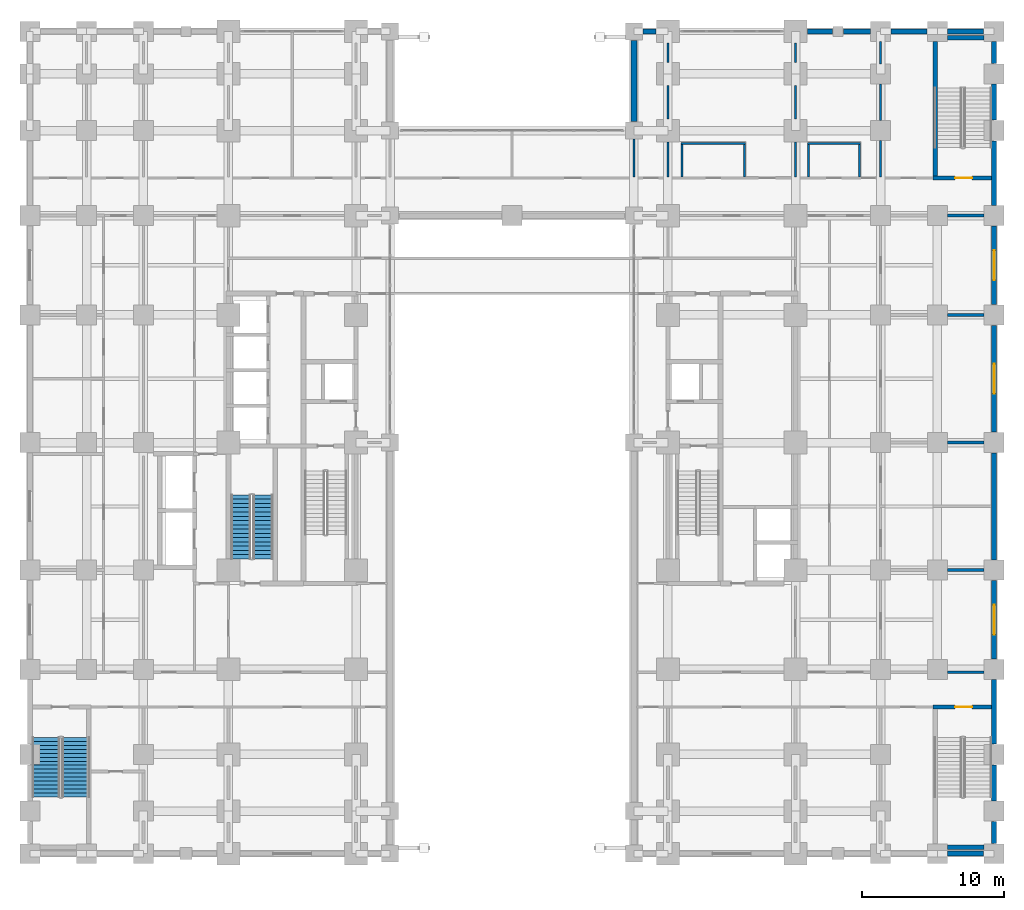
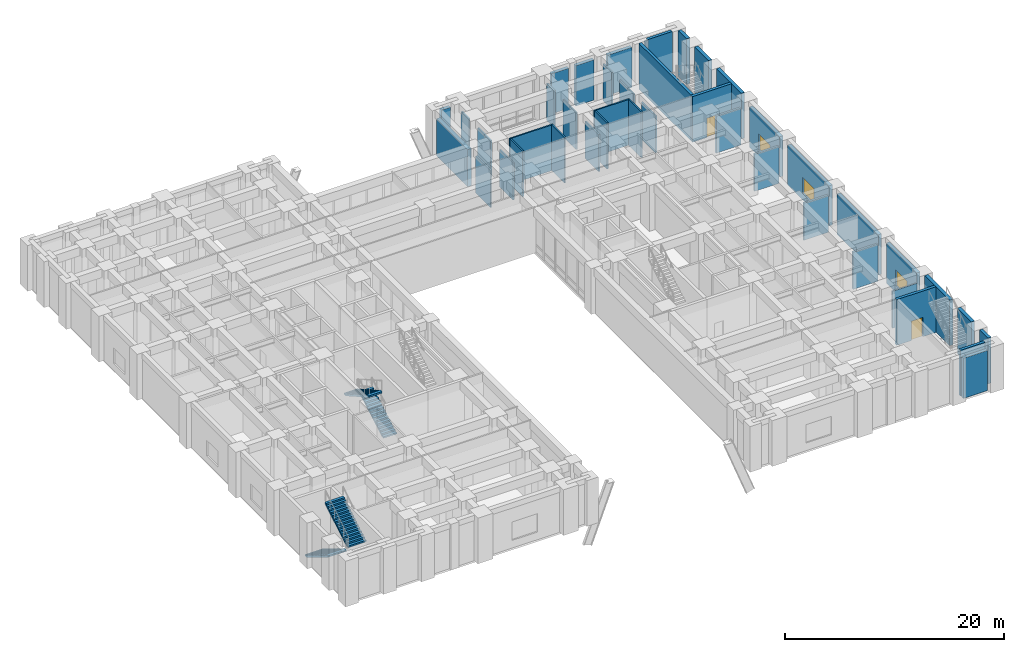
# One storey, part 16 of 23: 43 walls, 4 stair flights, 3 windows, 2 doors, 5 openings, 2 elements without a shape of their own.
"""IFC4 building model written with IfcOpenShell, lengths in metres."""

from ifc_helpers import new_model, si_unit, direction, frame, frame_2d, origin, place, context, subcontext, project, spatial, polyline, rectangle, outline, extrude, material, layer, layer_set, type_object, element, fill, aggregate, save


model = new_model("IFC4")

# Units and contexts
model_context = context("Model", 3, precision=1e-05, world=origin(), true_north=direction((0.0, 1.0)))
body_context = subcontext(model_context, "Body", "Model", "MODEL_VIEW")
ifc_project = project(units=[si_unit("LENGTHUNIT", "METRE"), si_unit("AREAUNIT", "SQUARE_METRE"), si_unit("VOLUMEUNIT", "CUBIC_METRE"), si_unit("PLANEANGLEUNIT", "RADIAN"), si_unit("MASSUNIT", "GRAM", prefix="KILO")], contexts=[model_context])

# Site, building, storey
site_placement = place(None, origin())
site = spatial("IfcSite", under=ifc_project, at=site_placement, CompositionType="ELEMENT")
building_placement = place(site_placement, origin())
building = spatial("IfcBuilding", under=site, at=building_placement, Name="Zulmaris Gate Convention Tower", CompositionType="ELEMENT")
storey_placement = place(building_placement, frame((0.0, 0.0, 10.8798828125)))
storey = spatial("IfcBuildingStorey", under=building, at=storey_placement, Name="L02", CompositionType="ELEMENT", Elevation=10.8798828125)

# Wall
ifc_material_1 = material(Name="Concrete C50/60", Category="concrete")
ifc_layer_1 = layer(ifc_material_1, 0.300048828125, Name="Concrete C50/60")
ifc_layer_set_1 = layer_set([ifc_layer_1], Name="Concrete C50/60")
wall_type_1 = type_object("IfcWallType", Name="CORE-300", PredefinedType="SHEAR", material=ifc_layer_set_1)
wall_1_placement = place(storey_placement, frame((30.7041015625, -28.550048828125, 0.0), z_axis=(0.0, 0.0, 1.0), x_axis=(1.0, 0.0, 0.0)))
element("IfcWall", 1, at=wall_1_placement, inside=storey, type_object=wall_type_1, Name="WL-L02-002", PredefinedType="SHEAR", context=body_context, shape_type="SweptSolid", body=[
    extrude(rectangle(XDim=2.591796875, YDim=0.300048828125, at=frame_2d((1.2958984375, 0.0))), origin(), (0.0, 0.0, 1.0), 5.09033203125),
])

# Wall, opening, door
wall_2_placement = place(storey_placement, frame((29.699951171875, -18.64990234375, 0.0), z_axis=(0.0, 0.0, 1.0), x_axis=(1.0, 0.0, 0.0)))
wall_2 = element("IfcWall", 2, at=wall_2_placement, inside=storey, type_object=wall_type_1, Name="WL-L02-004", PredefinedType="SHEAR", context=body_context, shape_type="SweptSolid", body=[
    extrude(rectangle(XDim=4.135009765625, YDim=0.300048828125, at=frame_2d((2.0673828125, 0.0))), origin(), (0.0, 0.0, 1.0), 5.09033203125),
])
opening_1_placement = place(wall_2_placement, frame((1.550048828125, 0.0, 0.0)))
opening_1 = element("IfcOpeningElement", 3, at=opening_1_placement, cuts=wall_2, Name="Opening D-13", PredefinedType="OPENING", context=body_context, shape_type="SweptSolid", body=[
    extrude(rectangle(XDim=1.199951171875, YDim=2.14990234375, at=frame_2d((0.60009765625, 1.074951171875))), frame((0.0, 0.16015625, 0.0), z_axis=(0.0, -1.0, 0.0), x_axis=(1.0, 0.0, 0.0)), (0.0, 0.0, 1.0), 0.320068359375),
])
ifc_material_2 = material(Name="Fire-Rated Steel", Category="steel")
door_type = type_object("IfcDoorType", Name="DR-1200-FD", OperationType="NOTDEFINED", PredefinedType="DOOR", material=ifc_material_2)
door_1_placement = place(opening_1_placement, origin())
door_1 = element("IfcDoor", 4, at=door_1_placement, inside=storey, type_object=door_type, Name="L02 Exit Stair ST-6 Door 22", OperationType="SINGLE_SWING_LEFT", OverallHeight=2.14990234375, OverallWidth=1.199951171875, PredefinedType="DOOR", context=body_context, shape_type="SweptSolid", body=[
    extrude(rectangle(XDim=1.199951171875, YDim=2.14990234375, at=frame_2d((0.60009765625, 1.074951171875))), frame((0.0, 0.02490234375, 0.0), z_axis=(0.0, -1.0, 0.0), x_axis=(1.0, 0.0, 0.0)), (0.0, 0.0, 1.0), 0.050048828125),
])
fill(opening_1, door_1)

wall_3_placement = place(storey_placement, frame((29.699951171875, 18.64990234375, 0.0), z_axis=(0.0, 0.0, 1.0), x_axis=(1.0, 0.0, 0.0)))
wall_3 = element("IfcWall", 5, at=wall_3_placement, inside=storey, type_object=wall_type_1, Name="WL-L02-027", PredefinedType="SHEAR", context=body_context, shape_type="SweptSolid", body=[
    extrude(rectangle(XDim=4.135009765625, YDim=0.300048828125, at=frame_2d((2.0673828125, 0.0))), origin(), (0.0, 0.0, 1.0), 5.09033203125),
])
opening_2_placement = place(wall_3_placement, frame((1.550048828125, 0.0, 0.0)))
opening_2 = element("IfcOpeningElement", 6, at=opening_2_placement, cuts=wall_3, Name="Opening D-13", PredefinedType="OPENING", context=body_context, shape_type="SweptSolid", body=[
    extrude(rectangle(XDim=1.199951171875, YDim=2.14990234375, at=frame_2d((0.60009765625, 1.074951171875))), frame((0.0, 0.16015625, 0.0), z_axis=(0.0, -1.0, 0.0), x_axis=(1.0, 0.0, 0.0)), (0.0, 0.0, 1.0), 0.320068359375),
])
door_2_placement = place(opening_2_placement, origin())
door_2 = element("IfcDoor", 7, at=door_2_placement, inside=storey, type_object=door_type, Name="L02 Exit Stair ST-5 Door 21", OperationType="SINGLE_SWING_RIGHT", OverallHeight=2.14990234375, OverallWidth=1.199951171875, PredefinedType="DOOR", context=body_context, shape_type="SweptSolid", body=[
    extrude(rectangle(XDim=1.199951171875, YDim=2.14990234375, at=frame_2d((0.60009765625, 1.074951171875))), frame((0.0, 0.02490234375, 0.0), z_axis=(0.0, -1.0, 0.0), x_axis=(1.0, 0.0, 0.0)), (0.0, 0.0, 1.0), 0.050048828125),
])
fill(opening_2, door_2)

# Walls
wall_4_placement = place(storey_placement, frame((30.7041015625, 28.550048828125, 0.0), z_axis=(0.0, 0.0, 1.0), x_axis=(1.0, 0.0, 0.0)))
element("IfcWall", 8, at=wall_4_placement, inside=storey, type_object=wall_type_1, Name="WL-L02-028", PredefinedType="SHEAR", context=body_context, shape_type="SweptSolid", body=[
    extrude(rectangle(XDim=2.591796875, YDim=0.300048828125, at=frame_2d((1.2958984375, 0.0))), origin(), (0.0, 0.0, 1.0), 5.09033203125),
])
wall_5_placement = place(storey_placement, frame((29.85009765625, 18.802001953125, 0.0), z_axis=(0.0, 0.0, 1.0), x_axis=(0.0, 1.0, 0.0)))
element("IfcWall", 9, at=wall_5_placement, inside=storey, type_object=wall_type_1, Name="WL-L02-107", PredefinedType="SHEAR", context=body_context, shape_type="SweptSolid", body=[
    extrude(rectangle(XDim=9.493896484375, YDim=0.300048828125, at=frame_2d((4.7470703125, 0.0))), origin(), (0.0, 0.0, 1.0), 5.09033203125),
])
ifc_material_3 = material(Name="Gypsum Metal Stud Partition")
ifc_layer_2 = layer(ifc_material_3, 0.14990234375, Name="Gypsum Metal Stud Partition")
ifc_layer_set_2 = layer_set([ifc_layer_2], Name="Gypsum Metal Stud Partition")
wall_type_2 = type_object("IfcWallType", Name="PART-150", PredefinedType="PARTITIONING", material=ifc_layer_set_2)
wall_6_placement = place(storey_placement, frame((30.7060546875, -16.199951171875, 0.0), z_axis=(0.0, 0.0, 1.0), x_axis=(1.0, 0.0, 0.0)))
element("IfcWall", 10, at=wall_6_placement, inside=storey, type_object=wall_type_2, Name="WL-L02-033S4", PredefinedType="PARTITIONING", context=body_context, shape_type="SweptSolid", body=[
    extrude(rectangle(XDim=2.587890625, YDim=0.14990234375, at=frame_2d((1.2939453125, 0.0))), origin(), (0.0, 0.0, 1.0), 4.13232421875),
])
wall_7_placement = place(storey_placement, frame((11.925048828125, 21.10009765625, 0.0), z_axis=(0.0, 0.0, 1.0), x_axis=(1.0, 0.0, 0.0)))
element("IfcWall", 11, at=wall_7_placement, inside=storey, type_object=wall_type_2, Name="WL-L02-064", PredefinedType="PARTITIONING", context=body_context, shape_type="SweptSolid", body=[
    extrude(rectangle(XDim=4.550048828125, YDim=0.14990234375, at=frame_2d((2.27490234375, 0.0))), origin(), (0.0, 0.0, 1.0), 5.09033203125),
])
wall_8_placement = place(storey_placement, frame((20.824951171875, 21.10009765625, 0.0), z_axis=(0.0, 0.0, 1.0), x_axis=(1.0, 0.0, 0.0)))
element("IfcWall", 12, at=wall_8_placement, inside=storey, type_object=wall_type_2, Name="WL-L02-065", PredefinedType="PARTITIONING", context=body_context, shape_type="SweptSolid", body=[
    extrude(rectangle(XDim=3.75, YDim=0.14990234375, at=frame_2d((1.875, 0.0))), origin(), (0.0, 0.0, 1.0), 5.09033203125),
])
wall_9_placement = place(storey_placement, frame((8.60009765625, 18.72802734375, 0.0), z_axis=(0.0, 0.0, 1.0), x_axis=(0.0, 1.0, 0.0)))
element("IfcWall", 13, at=wall_9_placement, inside=storey, type_object=wall_type_2, Name="WL-L02-134", PredefinedType="PARTITIONING", context=body_context, shape_type="SweptSolid", body=[
    extrude(rectangle(XDim=2.666015625, YDim=0.14990234375, at=frame_2d((1.3330078125, 0.0))), origin(), (0.0, 0.0, 1.0), 4.13232421875),
])
wall_10_placement = place(storey_placement, frame((11.0, 18.72802734375, 0.0), z_axis=(0.0, 0.0, 1.0), x_axis=(0.0, 1.0, 0.0)))
element("IfcWall", 14, at=wall_10_placement, inside=storey, type_object=wall_type_2, Name="WL-L02-137", PredefinedType="PARTITIONING", context=body_context, shape_type="SweptSolid", body=[
    extrude(rectangle(XDim=2.466064453125, YDim=0.14990234375, at=frame_2d((1.23291015625, 0.0))), origin(), (0.0, 0.0, 1.0), 4.13232421875),
])
wall_11_placement = place(storey_placement, frame((11.0, 22.805908203125, 0.0), z_axis=(0.0, 0.0, 1.0), x_axis=(0.0, 1.0, 0.0)))
element("IfcWall", 15, at=wall_11_placement, inside=storey, type_object=wall_type_2, Name="WL-L02-137S1", PredefinedType="PARTITIONING", context=body_context, shape_type="SweptSolid", body=[
    extrude(rectangle(XDim=2.38818359375, YDim=0.14990234375, at=frame_2d((1.194091796875, 0.0))), origin(), (0.0, 0.0, 1.0), 4.13232421875),
])
wall_12_placement = place(storey_placement, frame((11.0, 26.805908203125, 0.0), z_axis=(0.0, 0.0, 1.0), x_axis=(0.0, 1.0, 0.0)))
element("IfcWall", 16, at=wall_12_placement, inside=storey, type_object=wall_type_2, Name="WL-L02-137S2", PredefinedType="PARTITIONING", context=body_context, shape_type="SweptSolid", body=[
    extrude(rectangle(XDim=1.38818359375, YDim=0.14990234375, at=frame_2d((0.694091796875, 0.0))), origin(), (0.0, 0.0, 1.0), 4.13232421875),
])
for number, where, z_axis, x_axis, name in (
    (17, (12.0, 18.72802734375, 0.0), (0.0, 0.0, 1.0), (0.0, 1.0, 0.0), "WL-L02-138"),
    (18, (16.39990234375, 18.72802734375, 0.0), (0.0, 0.0, 1.0), (0.0, 1.0, 0.0), "WL-L02-139"),
):
    element("IfcWall", number, at=place(storey_placement, frame(where, z_axis=z_axis, x_axis=x_axis)), inside=storey, type_object=wall_type_2, Name=name, PredefinedType="PARTITIONING", context=body_context, shape_type="SweptSolid", body=[
        extrude(rectangle(XDim=2.2939453125, YDim=0.14990234375, at=frame_2d((1.14697265625, 0.0))), origin(), (0.0, 0.0, 1.0), 5.09033203125),
    ])
wall_13_placement = place(storey_placement, frame((20.0, 18.72802734375, 0.0), z_axis=(0.0, 0.0, 1.0), x_axis=(0.0, 1.0, 0.0)))
element("IfcWall", 19, at=wall_13_placement, inside=storey, type_object=wall_type_2, Name="WL-L02-144", PredefinedType="PARTITIONING", context=body_context, shape_type="SweptSolid", body=[
    extrude(rectangle(XDim=2.466064453125, YDim=0.14990234375, at=frame_2d((1.23291015625, 0.0))), origin(), (0.0, 0.0, 1.0), 4.13232421875),
])
wall_14_placement = place(storey_placement, frame((20.0, 22.805908203125, 0.0), z_axis=(0.0, 0.0, 1.0), x_axis=(0.0, 1.0, 0.0)))
element("IfcWall", 20, at=wall_14_placement, inside=storey, type_object=wall_type_2, Name="WL-L02-144S1", PredefinedType="PARTITIONING", context=body_context, shape_type="SweptSolid", body=[
    extrude(rectangle(XDim=2.38818359375, YDim=0.14990234375, at=frame_2d((1.194091796875, 0.0))), origin(), (0.0, 0.0, 1.0), 4.13232421875),
])
wall_15_placement = place(storey_placement, frame((20.0, 26.805908203125, 0.0), z_axis=(0.0, 0.0, 1.0), x_axis=(0.0, 1.0, 0.0)))
element("IfcWall", 21, at=wall_15_placement, inside=storey, type_object=wall_type_2, Name="WL-L02-144S2", PredefinedType="PARTITIONING", context=body_context, shape_type="SweptSolid", body=[
    extrude(rectangle(XDim=1.38818359375, YDim=0.14990234375, at=frame_2d((0.694091796875, 0.0))), origin(), (0.0, 0.0, 1.0), 4.13232421875),
])
for number, where, z_axis, x_axis, name in (
    (22, (20.89990234375, 18.72802734375, 0.0), (0.0, 0.0, 1.0), (0.0, 1.0, 0.0), "WL-L02-145"),
    (23, (24.5, 18.72802734375, 0.0), (0.0, 0.0, 1.0), (0.0, 1.0, 0.0), "WL-L02-147"),
):
    element("IfcWall", number, at=place(storey_placement, frame(where, z_axis=z_axis, x_axis=x_axis)), inside=storey, type_object=wall_type_2, Name=name, PredefinedType="PARTITIONING", context=body_context, shape_type="SweptSolid", body=[
        extrude(rectangle(XDim=2.2939453125, YDim=0.14990234375, at=frame_2d((1.14697265625, 0.0))), origin(), (0.0, 0.0, 1.0), 5.09033203125),
    ])
wall_16_placement = place(storey_placement, frame((26.0, 18.72802734375, 0.0), z_axis=(0.0, 0.0, 1.0), x_axis=(0.0, 1.0, 0.0)))
element("IfcWall", 24, at=wall_16_placement, inside=storey, type_object=wall_type_2, Name="WL-L02-154", PredefinedType="PARTITIONING", context=body_context, shape_type="SweptSolid", body=[
    extrude(rectangle(XDim=2.56591796875, YDim=0.14990234375, at=frame_2d((1.282958984375, 0.0))), origin(), (0.0, 0.0, 1.0), 4.13232421875),
])
wall_17_placement = place(storey_placement, frame((26.0, 22.7060546875, 0.0), z_axis=(0.0, 0.0, 1.0), x_axis=(0.0, 1.0, 0.0)))
element("IfcWall", 25, at=wall_17_placement, inside=storey, type_object=wall_type_2, Name="WL-L02-154S1", PredefinedType="PARTITIONING", context=body_context, shape_type="SweptSolid", body=[
    extrude(rectangle(XDim=2.587890625, YDim=0.14990234375, at=frame_2d((1.2939453125, 0.0))), origin(), (0.0, 0.0, 1.0), 4.13232421875),
])
wall_18_placement = place(storey_placement, frame((26.0, 26.7060546875, 0.0), z_axis=(0.0, 0.0, 1.0), x_axis=(0.0, 1.0, 0.0)))
element("IfcWall", 26, at=wall_18_placement, inside=storey, type_object=wall_type_2, Name="WL-L02-154S2", PredefinedType="PARTITIONING", context=body_context, shape_type="SweptSolid", body=[
    extrude(rectangle(XDim=1.587890625, YDim=0.14990234375, at=frame_2d((0.7939453125, 0.0))), origin(), (0.0, 0.0, 1.0), 4.13232421875),
])
ifc_material_4 = material(Name="Autoclaved Aerated Concrete Block and Plasterboard", Category="concrete")
ifc_layer_3 = layer(ifc_material_4, 0.199951171875, Name="Autoclaved Aerated Concrete Block and Plasterboard")
ifc_layer_set_3 = layer_set([ifc_layer_3], Name="Autoclaved Aerated Concrete Block and Plasterboard")
wall_type_3 = type_object("IfcWallType", Name="PART-200", PredefinedType="PARTITIONING", material=ifc_layer_set_3)
for number, where, z_axis, x_axis, name in (
    (27, (30.7060546875, -9.0, 0.0), (0.0, 0.0, 1.0), (1.0, 0.0, 0.0), "WL-L02-038S1"),
    (28, (30.7060546875, 0.0, 0.0), (0.0, 0.0, 1.0), (1.0, 0.0, 0.0), "WL-L02-045S1"),
    (29, (30.7060546875, 9.0, 0.0), (0.0, 0.0, 1.0), (1.0, 0.0, 0.0), "WL-L02-048S1"),
    (30, (30.7060546875, 16.0, 0.0), (0.0, 0.0, 1.0), (1.0, 0.0, 0.0), "WL-L02-062S1"),
):
    element("IfcWall", number, at=place(storey_placement, frame(where, z_axis=z_axis, x_axis=x_axis)), inside=storey, type_object=wall_type_3, Name=name, PredefinedType="PARTITIONING", context=body_context, shape_type="SweptSolid", body=[
        extrude(rectangle(XDim=2.587890625, YDim=0.199951171875, at=frame_2d((1.2939453125, 0.0))), origin(), (0.0, 0.0, 1.0), 4.13232421875),
    ])
ifc_material_5 = material(Name="Precast concrete C50/60", Category="concrete")
ifc_layer_4 = layer(ifc_material_5, 0.39990234375, Name="Precast concrete C50/60")
ifc_layer_set_4 = layer_set([ifc_layer_4], Name="Precast concrete C50/60")
wall_type_4 = type_object("IfcWallType", Name="PRECAST-ARCH-400", PredefinedType="STANDARD", material=ifc_layer_set_4)
wall_19_placement = place(storey_placement, frame((8.60009765625, 28.35009765625, 0.0), z_axis=(0.0, 0.0, 1.0), x_axis=(0.0, -1.0, 0.0)))
element("IfcWall", 31, at=wall_19_placement, inside=storey, type_object=wall_type_4, Name="EW-L02-ARCH-NES_0", PredefinedType="STANDARD", context=body_context, shape_type="SweptSolid", body=[
    extrude(rectangle(XDim=5.72021484375, YDim=0.39990234375, at=frame_2d((2.860107421875, 0.0))), origin(), (0.0, 0.0, 1.0), 4.13232421875),
])
ifc_material_6 = material(Name="Precast concrete C45/55", Category="concrete")
ifc_layer_5 = layer(ifc_material_6, 0.35009765625, Name="Precast concrete C45/55")
ifc_layer_set_5 = layer_set([ifc_layer_5], Name="Precast concrete C45/55")
wall_type_5 = type_object("IfcWallType", Name="PRECAST-POD-350", PredefinedType="STANDARD", material=ifc_layer_set_5)
wall_20_placement = place(storey_placement, frame((30.72998046875, -29.0, 0.0), z_axis=(0.0, 0.0, 1.0), x_axis=(1.0, 0.0, 0.0)))
element("IfcWall", 32, at=wall_20_placement, inside=storey, type_object=wall_type_5, Name="EW-L02-S-300_0", PredefinedType="STANDARD", context=body_context, shape_type="SweptSolid", body=[
    extrude(rectangle(XDim=2.5400390625, YDim=0.35009765625, at=frame_2d((1.27001953125, 0.0))), origin(), (0.0, 0.0, 1.0), 4.482177734375),
])
wall_21_placement = place(storey_placement, frame((10.169921875, 29.0, 0.0), z_axis=(0.0, 0.0, 1.0), x_axis=(-1.0, 0.0, 0.0)))
element("IfcWall", 33, at=wall_21_placement, inside=storey, type_object=wall_type_5, Name="EW-L02-N-86_0", PredefinedType="STANDARD", context=body_context, shape_type="SweptSolid", body=[
    extrude(rectangle(XDim=0.93994140625, YDim=0.35009765625, at=frame_2d((0.469970703125, 0.0))), origin(), (0.0, 0.0, 1.0), 4.482177734375),
])
wall_22_placement = place(storey_placement, frame((22.6201171875, 29.0, 0.0), z_axis=(0.0, 0.0, 1.0), x_axis=(-1.0, 0.0, 0.0)))
element("IfcWall", 34, at=wall_22_placement, inside=storey, type_object=wall_type_5, Name="EW-L02-N-200_0", PredefinedType="STANDARD", context=body_context, shape_type="SweptSolid", body=[
    extrude(rectangle(XDim=1.7900390625, YDim=0.35009765625, at=frame_2d((0.89501953125, 0.0))), origin(), (0.0, 0.0, 1.0), 4.482177734375),
])
wall_23_placement = place(storey_placement, frame((25.27001953125, 29.0, 0.0), z_axis=(0.0, 0.0, 1.0), x_axis=(-1.0, 0.0, 0.0)))
element("IfcWall", 35, at=wall_23_placement, inside=storey, type_object=wall_type_5, Name="EW-L02-N-230_0", PredefinedType="STANDARD", context=body_context, shape_type="SweptSolid", body=[
    extrude(rectangle(XDim=1.89013671875, YDim=0.35009765625, at=frame_2d((0.945068359375, 0.0))), origin(), (0.0, 0.0, 1.0), 4.482177734375),
])
for number, where, z_axis, x_axis, name in (
    (36, (29.27001953125, 29.0, 0.0), (0.0, 0.0, 1.0), (-1.0, 0.0, 0.0), "EW-L02-N-260_0"),
    (37, (33.27001953125, 29.0, 0.0), (0.0, 0.0, 1.0), (-1.0, 0.0, 0.0), "EW-L02-N-300_0"),
):
    element("IfcWall", number, at=place(storey_placement, frame(where, z_axis=z_axis, x_axis=x_axis)), inside=storey, type_object=wall_type_5, Name=name, PredefinedType="STANDARD", context=body_context, shape_type="SweptSolid", body=[
        extrude(rectangle(XDim=2.5400390625, YDim=0.35009765625, at=frame_2d((1.27001953125, 0.0))), origin(), (0.0, 0.0, 1.0), 4.482177734375),
    ])
wall_24_placement = place(storey_placement, frame((34.0, -26.72998046875, 0.0), z_axis=(0.0, 0.0, 1.0), x_axis=(0.0, -1.0, 0.0)))
element("IfcWall", 38, at=wall_24_placement, inside=storey, type_object=wall_type_5, Name="EW-L02-E--29_0", PredefinedType="STANDARD", context=body_context, shape_type="SweptSolid", body=[
    extrude(rectangle(XDim=1.5400390625, YDim=0.35009765625, at=frame_2d((0.77001953125, 0.0))), origin(), (0.0, 0.0, 1.0), 5.09033203125),
])
wall_25_placement = place(storey_placement, frame((34.0, -22.72998046875, 0.0), z_axis=(0.0, 0.0, 1.0), x_axis=(0.0, -1.0, 0.0)))
element("IfcWall", 39, at=wall_25_placement, inside=storey, type_object=wall_type_5, Name="EW-L02-E--26_0", PredefinedType="STANDARD", context=body_context, shape_type="SweptSolid", body=[
    extrude(rectangle(XDim=2.5400390625, YDim=0.35009765625, at=frame_2d((1.27001953125, 0.0))), origin(), (0.0, 0.0, 1.0), 5.09033203125),
])
wall_26_placement = place(storey_placement, frame((34.0, -16.72998046875, 0.0), z_axis=(0.0, 0.0, 1.0), x_axis=(0.0, -1.0, 0.0)))
element("IfcWall", 40, at=wall_26_placement, inside=storey, type_object=wall_type_5, Name="EW-L02-E--22_0", PredefinedType="STANDARD", context=body_context, shape_type="SweptSolid", body=[
    extrude(rectangle(XDim=4.5400390625, YDim=0.35009765625, at=frame_2d((2.27001953125, 0.0))), origin(), (0.0, 0.0, 1.0), 5.09033203125),
])

# Wall, opening, window
wall_27_placement = place(storey_placement, frame((34.0, -9.72998046875, 0.0), z_axis=(0.0, 0.0, 1.0), x_axis=(0.0, -1.0, 0.0)))
wall_27 = element("IfcWall", 41, at=wall_27_placement, inside=storey, type_object=wall_type_5, Name="EW-L02-E--16_0", PredefinedType="STANDARD", context=body_context, shape_type="SweptSolid", body=[
    extrude(rectangle(XDim=5.5400390625, YDim=0.35009765625, at=frame_2d((2.77001953125, 0.0))), origin(), (0.0, 0.0, 1.0), 4.482177734375),
])
opening_3_placement = place(wall_27_placement, frame((1.719970703125, 0.0, 0.75)))
opening_3 = element("IfcOpeningElement", 42, at=opening_3_placement, cuts=wall_27, Name="Opening W-05", PredefinedType="OPENING", context=body_context, shape_type="SweptSolid", body=[
    extrude(rectangle(XDim=2.10009765625, YDim=1.75, at=frame_2d((1.050048828125, 0.875))), frame((0.0, 0.18505859375, 0.0), z_axis=(0.0, -1.0, 0.0), x_axis=(1.0, 0.0, 0.0)), (0.0, 0.0, 1.0), 0.3701171875),
])
ifc_material_7 = material(Name="Low-E Laminated Double Glazing in Aluminium Frame", Category="aluminium")
window_type = type_object("IfcWindowType", Name="WIN-2100x2400", PartitioningType="SINGLE_PANEL", PredefinedType="WINDOW", material=ifc_material_7)
window_1_placement = place(opening_3_placement, origin())
window_1 = element("IfcWindow", 43, at=window_1_placement, inside=storey, type_object=window_type, Name="WN-EW-L02-E--16_0", OverallHeight=1.75, OverallWidth=2.10009765625, PartitioningType="SINGLE_PANEL", PredefinedType="WINDOW", context=body_context, shape_type="SweptSolid", body=[
    extrude(rectangle(XDim=2.10009765625, YDim=1.75, at=frame_2d((1.050048828125, 0.875))), frame((0.0, 0.030029296875, 0.0), z_axis=(0.0, -1.0, 0.0), x_axis=(1.0, 0.0, 0.0)), (0.0, 0.0, 1.0), 0.06005859375),
])
fill(opening_3, window_1)

# Wall
wall_28_placement = place(storey_placement, frame((34.0, -0.72998046875, 0.0), z_axis=(0.0, 0.0, 1.0), x_axis=(0.0, -1.0, 0.0)))
element("IfcWall", 44, at=wall_28_placement, inside=storey, type_object=wall_type_5, Name="EW-L02-E--9_0", PredefinedType="STANDARD", context=body_context, shape_type="SweptSolid", body=[
    extrude(rectangle(XDim=7.5400390625, YDim=0.35009765625, at=frame_2d((3.77001953125, 0.0))), origin(), (0.0, 0.0, 1.0), 4.482177734375),
])

# Wall, opening, window
wall_29_placement = place(storey_placement, frame((34.0, 8.27001953125, 0.0), z_axis=(0.0, 0.0, 1.0), x_axis=(0.0, -1.0, 0.0)))
wall_29 = element("IfcWall", 45, at=wall_29_placement, inside=storey, type_object=wall_type_5, Name="EW-L02-E-0_0", PredefinedType="STANDARD", context=body_context, shape_type="SweptSolid", body=[
    extrude(rectangle(XDim=7.5400390625, YDim=0.35009765625, at=frame_2d((3.77001953125, 0.0))), origin(), (0.0, 0.0, 1.0), 4.482177734375),
])
opening_4_placement = place(wall_29_placement, frame((2.719970703125, 0.0, 0.75)))
opening_4 = element("IfcOpeningElement", 46, at=opening_4_placement, cuts=wall_29, Name="Opening W-05", PredefinedType="OPENING", context=body_context, shape_type="SweptSolid", body=[
    extrude(rectangle(XDim=2.10009765625, YDim=1.75, at=frame_2d((1.050048828125, 0.875))), frame((0.0, 0.18505859375, 0.0), z_axis=(0.0, -1.0, 0.0), x_axis=(1.0, 0.0, 0.0)), (0.0, 0.0, 1.0), 0.3701171875),
])
window_2_placement = place(opening_4_placement, origin())
window_2 = element("IfcWindow", 47, at=window_2_placement, inside=storey, type_object=window_type, Name="WN-EW-L02-E-0_0", OverallHeight=1.75, OverallWidth=2.10009765625, PartitioningType="SINGLE_PANEL", PredefinedType="WINDOW", context=body_context, shape_type="SweptSolid", body=[
    extrude(rectangle(XDim=2.10009765625, YDim=1.75, at=frame_2d((1.050048828125, 0.875))), frame((0.0, 0.030029296875, 0.0), z_axis=(0.0, -1.0, 0.0), x_axis=(1.0, 0.0, 0.0)), (0.0, 0.0, 1.0), 0.06005859375),
])
fill(opening_4, window_2)

wall_30_placement = place(storey_placement, frame((34.0, 15.27001953125, 0.0), z_axis=(0.0, 0.0, 1.0), x_axis=(0.0, -1.0, 0.0)))
wall_30 = element("IfcWall", 48, at=wall_30_placement, inside=storey, type_object=wall_type_5, Name="EW-L02-E-9_0", PredefinedType="STANDARD", context=body_context, shape_type="SweptSolid", body=[
    extrude(rectangle(XDim=5.5400390625, YDim=0.35009765625, at=frame_2d((2.77001953125, 0.0))), origin(), (0.0, 0.0, 1.0), 4.482177734375),
])
opening_5_placement = place(wall_30_placement, frame((1.719970703125, 0.0, 0.75)))
opening_5 = element("IfcOpeningElement", 49, at=opening_5_placement, cuts=wall_30, Name="Opening W-05", PredefinedType="OPENING", context=body_context, shape_type="SweptSolid", body=[
    extrude(rectangle(XDim=2.10009765625, YDim=1.75, at=frame_2d((1.050048828125, 0.875))), frame((0.0, 0.18505859375, 0.0), z_axis=(0.0, -1.0, 0.0), x_axis=(1.0, 0.0, 0.0)), (0.0, 0.0, 1.0), 0.3701171875),
])
window_3_placement = place(opening_5_placement, origin())
window_3 = element("IfcWindow", 50, at=window_3_placement, inside=storey, type_object=window_type, Name="WN-EW-L02-E-9_0", OverallHeight=1.75, OverallWidth=2.10009765625, PartitioningType="SINGLE_PANEL", PredefinedType="WINDOW", context=body_context, shape_type="SweptSolid", body=[
    extrude(rectangle(XDim=2.10009765625, YDim=1.75, at=frame_2d((1.050048828125, 0.875))), frame((0.0, 0.030029296875, 0.0), z_axis=(0.0, -1.0, 0.0), x_axis=(1.0, 0.0, 0.0)), (0.0, 0.0, 1.0), 0.06005859375),
])
fill(opening_5, window_3)

# Walls
wall_31_placement = place(storey_placement, frame((34.0, 21.27001953125, 0.0), z_axis=(0.0, 0.0, 1.0), x_axis=(0.0, -1.0, 0.0)))
element("IfcWall", 51, at=wall_31_placement, inside=storey, type_object=wall_type_5, Name="EW-L02-E-16_0", PredefinedType="STANDARD", context=body_context, shape_type="SweptSolid", body=[
    extrude(rectangle(XDim=4.5400390625, YDim=0.35009765625, at=frame_2d((2.27001953125, 0.0))), origin(), (0.0, 0.0, 1.0), 5.09033203125),
])
wall_32_placement = place(storey_placement, frame((34.0, 25.27001953125, 0.0), z_axis=(0.0, 0.0, 1.0), x_axis=(0.0, -1.0, 0.0)))
element("IfcWall", 52, at=wall_32_placement, inside=storey, type_object=wall_type_5, Name="EW-L02-E-22_0", PredefinedType="STANDARD", context=body_context, shape_type="SweptSolid", body=[
    extrude(rectangle(XDim=2.5400390625, YDim=0.35009765625, at=frame_2d((1.27001953125, 0.0))), origin(), (0.0, 0.0, 1.0), 5.09033203125),
])
wall_33_placement = place(storey_placement, frame((34.0, 28.27001953125, 0.0), z_axis=(0.0, 0.0, 1.0), x_axis=(0.0, -1.0, 0.0)))
element("IfcWall", 53, at=wall_33_placement, inside=storey, type_object=wall_type_5, Name="EW-L02-E-26_0", PredefinedType="STANDARD", context=body_context, shape_type="SweptSolid", body=[
    extrude(rectangle(XDim=1.5400390625, YDim=0.35009765625, at=frame_2d((0.77001953125, 0.0))), origin(), (0.0, 0.0, 1.0), 5.09033203125),
])

# Stair, stair flights
ifc_material_8 = material(Name="Concrete C45/55", Category="concrete")
stair_type_1 = type_object("IfcStairType", Name="ST-CORE-DOGLEG", PredefinedType="HALF_TURN_STAIR", material=ifc_material_8)
stair_1_placement = place(storey_placement, origin())
stair_1 = element("IfcStair", 54, at=stair_1_placement, inside=storey, type_object=stair_type_1, Name="L02 Core Exit Stair ST-3", PredefinedType="HALF_TURN_STAIR")
ifc_layer_6 = layer(ifc_material_8, 0.14990234375, Name="Concrete C45/55")
ifc_layer_set_6 = layer_set([ifc_layer_6], Name="Concrete C45/55")
stair_flight_type_1 = type_object("IfcStairFlightType", Name="STF-RC150", PredefinedType="STRAIGHT", material=ifc_layer_set_6)
stair_flight_1_placement = place(storey_placement, frame((-17.56005859375, -8.199951171875, 0.0), z_axis=(0.0, 0.0, 1.0), x_axis=(0.0, 1.0, 0.0)))
stair_flight_1 = element("IfcStairFlight", 55, at=stair_flight_1_placement, type_object=stair_flight_type_1, Name="ST-3 flight 1", NumberOfRisers=16, NumberOfTreads=15, PredefinedType="STRAIGHT", RiserHeight=0.17000625, TreadLength=0.3, context=body_context, shape_type="SweptSolid", body=[
    extrude(outline(polyline([(0.0, 0.0), (0.0, 0.169921875), (0.300048828125, 0.169921875), (0.300048828125, 0.340087890625), (0.60009765625, 0.340087890625), (0.60009765625, 0.510009765625), (0.89990234375, 0.510009765625), (0.89990234375, 0.679931640625), (1.199951171875, 0.679931640625), (1.199951171875, 0.85009765625), (1.5, 0.85009765625), (1.5, 1.02001953125), (1.800048828125, 1.02001953125), (1.800048828125, 1.18994140625), (2.10009765625, 1.18994140625), (2.10009765625, 1.360107421875), (2.39990234375, 1.360107421875), (2.39990234375, 1.530029296875), (2.699951171875, 1.530029296875), (2.699951171875, 1.699951171875), (3.0, 1.699951171875), (3.0, 1.8701171875), (3.300048828125, 1.8701171875), (3.300048828125, 2.0400390625), (3.60009765625, 2.0400390625), (3.60009765625, 2.2099609375), (3.89990234375, 2.2099609375), (3.89990234375, 2.380126953125), (4.199951171875, 2.380126953125), (4.199951171875, 2.550048828125), (4.5, 2.550048828125), (4.5, 2.72021484375), (4.5, 2.377685546875), (0.303955078125, 0.0), (0.0, 0.0)])), frame((0.0, 0.699951171875, 0.0), z_axis=(0.0, -1.0, 0.0), x_axis=(1.0, 0.0, 0.0)), (0.0, 0.0, 1.0), 1.39990234375),
])
stair_flight_2_placement = place(storey_placement, frame((-19.1201171875, -3.699951171875, 2.72021484375), z_axis=(0.0, 0.0, 1.0), x_axis=(0.0, -1.0, 0.0)))
stair_flight_2 = element("IfcStairFlight", 56, at=stair_flight_2_placement, type_object=stair_flight_type_1, Name="ST-3 flight 2", NumberOfRisers=16, NumberOfTreads=15, PredefinedType="STRAIGHT", RiserHeight=0.17000625, TreadLength=0.3, context=body_context, shape_type="SweptSolid", body=[
    extrude(outline(polyline([(0.0, 0.0), (0.0, 0.169921875), (0.300048828125, 0.169921875), (0.300048828125, 0.340087890625), (0.60009765625, 0.340087890625), (0.60009765625, 0.510009765625), (0.89990234375, 0.510009765625), (0.89990234375, 0.679931640625), (1.199951171875, 0.679931640625), (1.199951171875, 0.85009765625), (1.5, 0.85009765625), (1.5, 1.02001953125), (1.800048828125, 1.02001953125), (1.800048828125, 1.18994140625), (2.10009765625, 1.18994140625), (2.10009765625, 1.360107421875), (2.39990234375, 1.360107421875), (2.39990234375, 1.530029296875), (2.699951171875, 1.530029296875), (2.699951171875, 1.699951171875), (3.0, 1.699951171875), (3.0, 1.8701171875), (3.300048828125, 1.8701171875), (3.300048828125, 2.0400390625), (3.60009765625, 2.0400390625), (3.60009765625, 2.2099609375), (3.89990234375, 2.2099609375), (3.89990234375, 2.380126953125), (4.199951171875, 2.380126953125), (4.199951171875, 2.550048828125), (4.5, 2.550048828125), (4.5, 2.72021484375), (4.5, 2.377685546875), (0.303955078125, 0.0), (0.0, 0.0)])), frame((0.0, 0.699951171875, 0.0), z_axis=(0.0, -1.0, 0.0), x_axis=(1.0, 0.0, 0.0)), (0.0, 0.0, 1.0), 1.39990234375),
])
aggregate(stair_1, [stair_flight_1, stair_flight_2])

stair_type_2 = type_object("IfcStairType", Name="ST-POD-DOGLEG", PredefinedType="HALF_TURN_STAIR", material=ifc_material_8)
stair_2_placement = place(storey_placement, origin())
stair_2 = element("IfcStair", 57, at=stair_2_placement, inside=storey, type_object=stair_type_2, Name="L02 Podium Exit Stair ST-4", PredefinedType="HALF_TURN_STAIR")
ifc_layer_7 = layer(ifc_material_8, 0.159912109375, Name="Concrete C45/55")
ifc_layer_set_7 = layer_set([ifc_layer_7], Name="Concrete C45/55")
stair_flight_type_2 = type_object("IfcStairFlightType", Name="STF-RC195", PredefinedType="STRAIGHT", material=ifc_layer_set_7)
stair_flight_3_placement = place(storey_placement, frame((-32.85498046875, -20.800048828125, 0.0), z_axis=(0.0, 0.0, 1.0), x_axis=(0.0, -1.0, 0.0)))
stair_flight_3 = element("IfcStairFlight", 58, at=stair_flight_3_placement, type_object=stair_flight_type_2, Name="ST-4 flight 1", NumberOfRisers=16, NumberOfTreads=15, PredefinedType="STRAIGHT", RiserHeight=0.17000625, TreadLength=0.28, context=body_context, shape_type="SweptSolid", body=[
    extrude(outline(polyline([(0.0, 0.0), (0.0, 0.169921875), (0.280029296875, 0.169921875), (0.280029296875, 0.340087890625), (0.56005859375, 0.340087890625), (0.56005859375, 0.510009765625), (0.840087890625, 0.510009765625), (0.840087890625, 0.679931640625), (1.1201171875, 0.679931640625), (1.1201171875, 0.85009765625), (1.39990234375, 0.85009765625), (1.39990234375, 1.02001953125), (1.679931640625, 1.02001953125), (1.679931640625, 1.18994140625), (1.9599609375, 1.18994140625), (1.9599609375, 1.360107421875), (2.239990234375, 1.360107421875), (2.239990234375, 1.530029296875), (2.52001953125, 1.530029296875), (2.52001953125, 1.699951171875), (2.800048828125, 1.699951171875), (2.800048828125, 1.8701171875), (3.080078125, 1.8701171875), (3.080078125, 2.0400390625), (3.360107421875, 2.0400390625), (3.360107421875, 2.2099609375), (3.639892578125, 2.2099609375), (3.639892578125, 2.380126953125), (3.919921875, 2.380126953125), (3.919921875, 2.550048828125), (4.199951171875, 2.550048828125), (4.199951171875, 2.72021484375), (4.199951171875, 2.374755859375), (0.288818359375, 0.0), (0.0, 0.0)])), frame((0.0, 0.97509765625, 0.0), z_axis=(0.0, -1.0, 0.0), x_axis=(1.0, 0.0, 0.0)), (0.0, 0.0, 1.0), 1.949951171875),
])
stair_flight_4_placement = place(storey_placement, frame((-30.7548828125, -25.0, 2.72021484375), z_axis=(0.0, 0.0, 1.0), x_axis=(0.0, 1.0, 0.0)))
stair_flight_4 = element("IfcStairFlight", 59, at=stair_flight_4_placement, type_object=stair_flight_type_2, Name="ST-4 flight 2", NumberOfRisers=16, NumberOfTreads=15, PredefinedType="STRAIGHT", RiserHeight=0.17000625, TreadLength=0.28, context=body_context, shape_type="SweptSolid", body=[
    extrude(outline(polyline([(0.0, 0.0), (0.0, 0.169921875), (0.280029296875, 0.169921875), (0.280029296875, 0.340087890625), (0.56005859375, 0.340087890625), (0.56005859375, 0.510009765625), (0.840087890625, 0.510009765625), (0.840087890625, 0.679931640625), (1.1201171875, 0.679931640625), (1.1201171875, 0.85009765625), (1.39990234375, 0.85009765625), (1.39990234375, 1.02001953125), (1.679931640625, 1.02001953125), (1.679931640625, 1.18994140625), (1.9599609375, 1.18994140625), (1.9599609375, 1.360107421875), (2.239990234375, 1.360107421875), (2.239990234375, 1.530029296875), (2.52001953125, 1.530029296875), (2.52001953125, 1.699951171875), (2.800048828125, 1.699951171875), (2.800048828125, 1.8701171875), (3.080078125, 1.8701171875), (3.080078125, 2.0400390625), (3.360107421875, 2.0400390625), (3.360107421875, 2.2099609375), (3.639892578125, 2.2099609375), (3.639892578125, 2.380126953125), (3.919921875, 2.380126953125), (3.919921875, 2.550048828125), (4.199951171875, 2.550048828125), (4.199951171875, 2.72021484375), (4.199951171875, 2.374755859375), (0.288818359375, 0.0), (0.0, 0.0)])), frame((0.0, 0.97509765625, 0.0), z_axis=(0.0, -1.0, 0.0), x_axis=(1.0, 0.0, 0.0)), (0.0, 0.0, 1.0), 1.949951171875),
])
aggregate(stair_2, [stair_flight_3, stair_flight_4])

save(model, "model.ifc")
